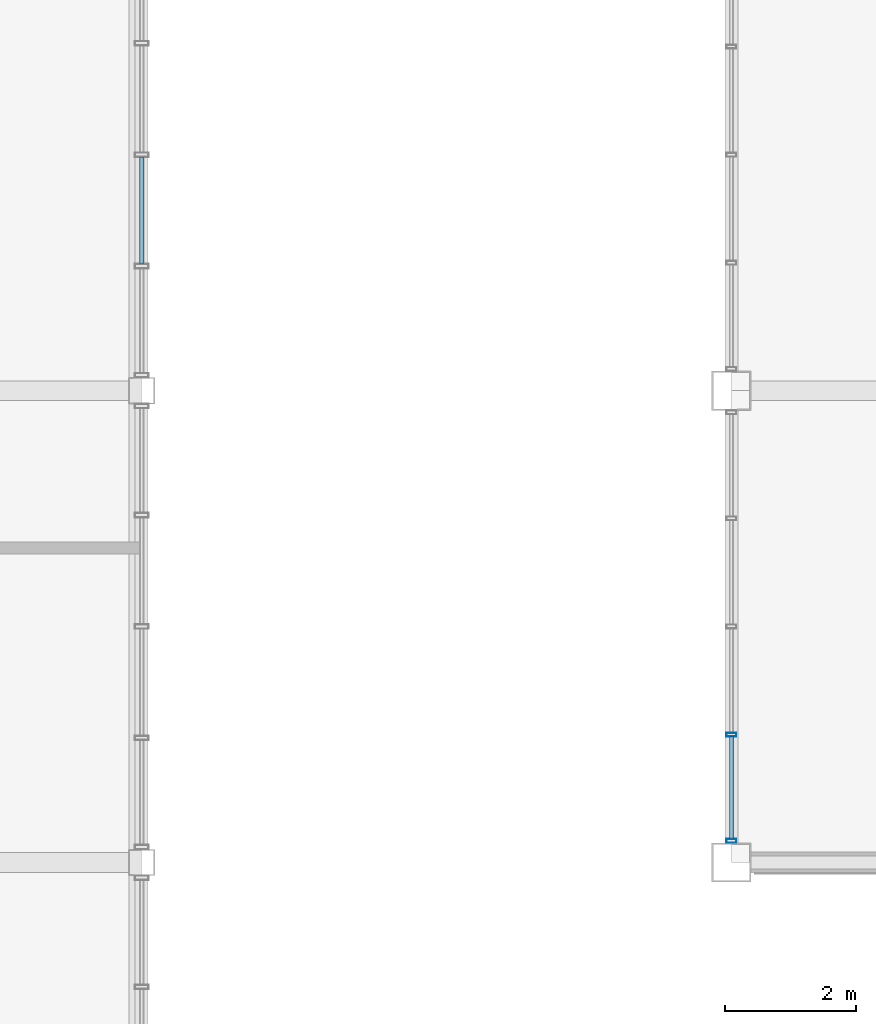
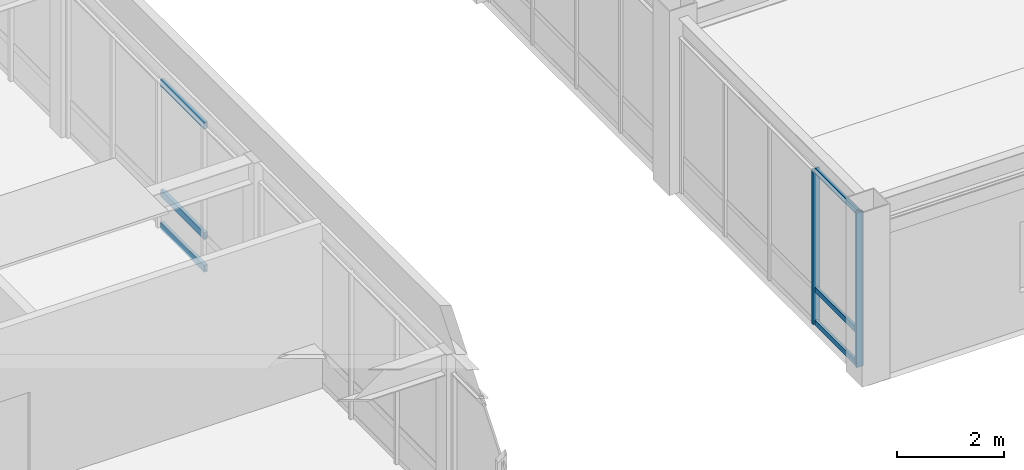
# One storey, part 30 of 106: 8 members, 2 elements without a shape of their own.
"""IFC4 building model written with IfcOpenShell, lengths in metres."""

from ifc_helpers import new_model, si_unit, direction, frame, origin, origin_2d, place, context, subcontext, project, spatial, hollow_rectangle, extrude, material, material_profile, profile_set, type_object, element, aggregate, save


model = new_model("IFC4")

# Units and contexts
model_context = context("Model", 3, precision=1e-05, world=origin(), true_north=direction((0.0, 1.0)))
body_context = subcontext(model_context, "Body", "Model", "MODEL_VIEW")
ifc_project = project(units=[si_unit("LENGTHUNIT", "METRE"), si_unit("AREAUNIT", "SQUARE_METRE"), si_unit("VOLUMEUNIT", "CUBIC_METRE"), si_unit("PLANEANGLEUNIT", "RADIAN"), si_unit("MASSUNIT", "GRAM", prefix="KILO")], contexts=[model_context])

# Site, building, storey
site_placement = place(None, origin())
site = spatial("IfcSite", under=ifc_project, at=site_placement, CompositionType="ELEMENT")
building_placement = place(site_placement, origin())
building = spatial("IfcBuilding", under=site, at=building_placement, Name="Kazanami Central Library", CompositionType="ELEMENT")
storey_placement = place(building_placement, frame((0.0, 0.0, 12.800048828125)))
storey = spatial("IfcBuildingStorey", under=building, at=storey_placement, Name="L04", CompositionType="ELEMENT", Elevation=12.800048828125)

# Curtain wall, members
ifc_material_1 = material(Name="Acid-Etched Low-E Laminated Glass", Category="glass")
curtain_wall_type_1 = type_object("IfcCurtainWallType", Name="CW-6600x3525-M180", PredefinedType="USERDEFINED", material=ifc_material_1)
curtain_wall_1_placement = place(storey_placement, origin())
curtain_wall_1 = element("IfcCurtainWall", 1, at=curtain_wall_1_placement, inside=storey, type_object=curtain_wall_type_1, Name="Covered Link Bridge Curtain Wall CW-47 L04 W-14-06", ObjectType="UNITISED CURTAIN WALL", PredefinedType="USERDEFINED")
ifc_material_2 = material(Name="Anodised Aluminium A6063-T5", Category="aluminium")
ifc_material_profile_1 = material_profile(ifc_material_2, hollow_rectangle(XDim=0.06005859375, YDim=0.14990234375, WallThickness=0.00390625, at=origin_2d()), Name="ALU-MULL-60x150x4")
ifc_profile_set_1 = profile_set([ifc_material_profile_1], Name="Anodised Aluminium A6063-T5")
member_type_1 = type_object("IfcMemberType", Name="MEM-CW-M3", PredefinedType="MULLION", material=ifc_profile_set_1)
member_1_placement = place(storey_placement, frame((117.0, 43.530029296875, 0.0), z_axis=(0.0, 0.0, 1.0), x_axis=(0.0, 1.0, 0.0)))
member_1 = element("IfcMember", 2, at=member_1_placement, type_object=member_type_1, Name="CW-47 mullion 1", PredefinedType="MULLION", context=body_context, shape_type="SweptSolid", body=[
    extrude(hollow_rectangle(XDim=0.06005859375, YDim=0.14990234375, WallThickness=0.00390625, at=origin_2d()), origin(), (0.0, 0.0, 1.0), 3.52490234375),
])
member_2_placement = place(storey_placement, frame((117.0, 45.14990234375, 0.0), z_axis=(0.0, 0.0, 1.0), x_axis=(0.0, 1.0, 0.0)))
member_2 = element("IfcMember", 3, at=member_2_placement, type_object=member_type_1, Name="CW-47 mullion 2", PredefinedType="MULLION", context=body_context, shape_type="SweptSolid", body=[
    extrude(hollow_rectangle(XDim=0.06005859375, YDim=0.14990234375, WallThickness=0.00390625, at=origin_2d()), origin(), (0.0, 0.0, 1.0), 3.52490234375),
])

curtain_wall_type_2 = type_object("IfcCurtainWallType", Name="CW-6800x3330-M180", PredefinedType="USERDEFINED", material=ifc_material_1)
curtain_wall_2_placement = place(storey_placement, origin())
curtain_wall_2 = element("IfcCurtainWall", 4, at=curtain_wall_2_placement, inside=storey, type_object=curtain_wall_type_2, Name="Covered Link Bridge Curtain Wall CW-44 L04 E-13-07", ObjectType="UNITISED CURTAIN WALL", PredefinedType="USERDEFINED")
ifc_material_profile_2 = material_profile(ifc_material_2, hollow_rectangle(XDim=0.070068359375, YDim=0.159912109375, WallThickness=0.00390625, at=origin_2d()), Name="ALU-TRAN-70x160x4")
ifc_profile_set_2 = profile_set([ifc_material_profile_2], Name="Anodised Aluminium A6063-T5")
member_type_2 = type_object("IfcMemberType", Name="MEM-CW-T1", PredefinedType="USERDEFINED", material=ifc_profile_set_2)
member_3_placement = place(storey_placement, frame((108.0, 53.965087890625, 0.034912109375), z_axis=(0.0, -1.0, 0.0), x_axis=(1.0, 0.0, 0.0)))
member_3 = element("IfcMember", 5, at=member_3_placement, type_object=member_type_2, Name="CW-44 transom 3.1", ObjectType="TRANSOM", PredefinedType="USERDEFINED", context=body_context, shape_type="SweptSolid", body=[
    extrude(hollow_rectangle(XDim=0.070068359375, YDim=0.159912109375, WallThickness=0.00390625, at=origin_2d()), origin(), (0.0, 0.0, 1.0), 1.630126953125),
])
member_4_placement = place(storey_placement, frame((108.0, 53.965087890625, 0.780029296875), z_axis=(0.0, -1.0, 0.0), x_axis=(1.0, 0.0, 0.0)))
member_4 = element("IfcMember", 6, at=member_4_placement, type_object=member_type_2, Name="CW-44 transom 3.2", ObjectType="TRANSOM", PredefinedType="USERDEFINED", context=body_context, shape_type="SweptSolid", body=[
    extrude(hollow_rectangle(XDim=0.070068359375, YDim=0.159912109375, WallThickness=0.00390625, at=origin_2d()), origin(), (0.0, 0.0, 1.0), 1.630126953125),
])
member_5_placement = place(storey_placement, frame((108.0, 53.965087890625, 3.294921875), z_axis=(0.0, -1.0, 0.0), x_axis=(1.0, 0.0, 0.0)))
member_5 = element("IfcMember", 7, at=member_5_placement, type_object=member_type_2, Name="CW-44 transom 3.3", ObjectType="TRANSOM", PredefinedType="USERDEFINED", context=body_context, shape_type="SweptSolid", body=[
    extrude(hollow_rectangle(XDim=0.070068359375, YDim=0.159912109375, WallThickness=0.00390625, at=origin_2d()), origin(), (0.0, 0.0, 1.0), 1.630126953125),
])
aggregate(curtain_wall_2, [member_3, member_4, member_5])

# Member
ifc_material_profile_3 = material_profile(ifc_material_2, hollow_rectangle(XDim=0.06005859375, YDim=0.1201171875, WallThickness=0.00341796875, at=origin_2d()), Name="ALU-TRAN-60x120x3.5")
ifc_profile_set_3 = profile_set([ifc_material_profile_3], Name="Anodised Aluminium A6063-T5")
member_type_3 = type_object("IfcMemberType", Name="MEM-CW-T3", PredefinedType="USERDEFINED", material=ifc_profile_set_3)
member_6_placement = place(storey_placement, frame((117.0, 43.56005859375, 0.030029296875), z_axis=(0.0, 1.0, 0.0), x_axis=(-1.0, 0.0, 0.0)))
member_6 = element("IfcMember", 8, at=member_6_placement, type_object=member_type_3, Name="CW-47 transom 1.1", ObjectType="TRANSOM", PredefinedType="USERDEFINED", context=body_context, shape_type="SweptSolid", body=[
    extrude(hollow_rectangle(XDim=0.06005859375, YDim=0.1201171875, WallThickness=0.00341796875, at=origin_2d()), origin(), (0.0, 0.0, 1.0), 1.56005859375),
])

member_7_placement = place(storey_placement, frame((117.0, 43.56005859375, 0.780029296875), z_axis=(0.0, 1.0, 0.0), x_axis=(-1.0, 0.0, 0.0)))
member_7 = element("IfcMember", 9, at=member_7_placement, type_object=member_type_3, Name="CW-47 transom 1.2", ObjectType="TRANSOM", PredefinedType="USERDEFINED", context=body_context, shape_type="SweptSolid", body=[
    extrude(hollow_rectangle(XDim=0.06005859375, YDim=0.1201171875, WallThickness=0.00341796875, at=origin_2d()), origin(), (0.0, 0.0, 1.0), 1.56005859375),
])

member_8_placement = place(storey_placement, frame((117.0, 43.56005859375, 3.494873046875), z_axis=(0.0, 1.0, 0.0), x_axis=(-1.0, 0.0, 0.0)))
member_8 = element("IfcMember", 10, at=member_8_placement, type_object=member_type_3, Name="CW-47 transom 1.3", ObjectType="TRANSOM", PredefinedType="USERDEFINED", context=body_context, shape_type="SweptSolid", body=[
    extrude(hollow_rectangle(XDim=0.06005859375, YDim=0.1201171875, WallThickness=0.00341796875, at=origin_2d()), origin(), (0.0, 0.0, 1.0), 1.56005859375),
])

aggregate(curtain_wall_1, [member_1, member_2, member_6, member_7, member_8])

save(model, "model.ifc")
